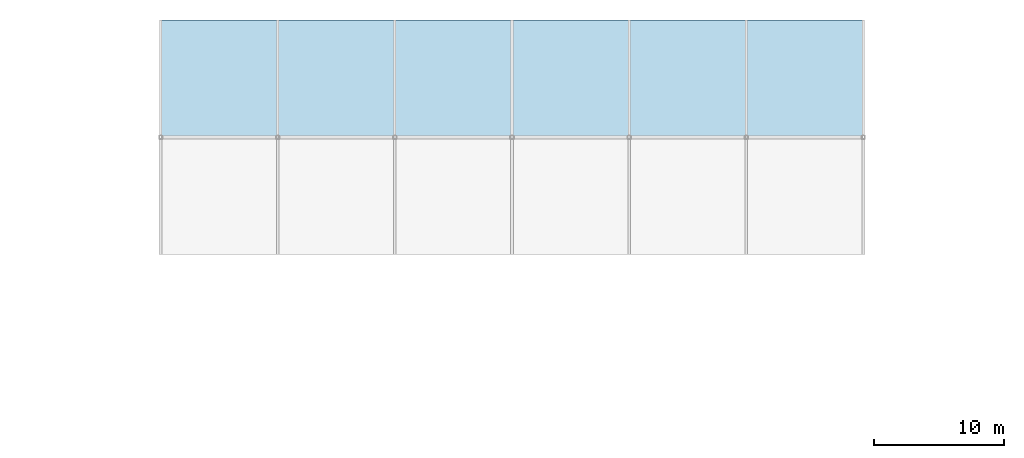
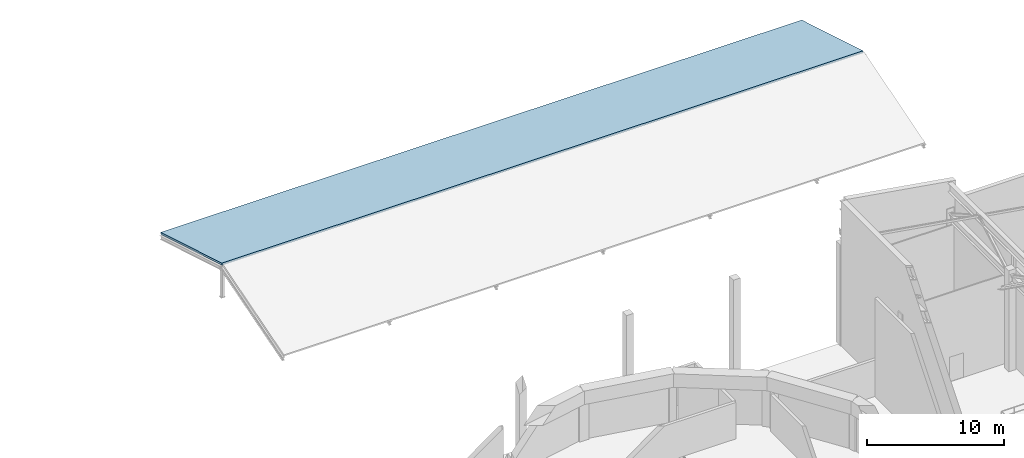
# One storey, part 52 of 68: 1 slab.
"""IFC4 building model written with IfcOpenShell, lengths in metres."""

from ifc_helpers import new_model, si_unit, direction, frame, origin, place, context, subcontext, project, spatial, polyline, outline, extrude, material, layer, layer_set, type_object, element, save


model = new_model("IFC4")

# Units and contexts
model_context = context("Model", 3, precision=1e-05, world=origin(), true_north=direction((0.0, 1.0)))
body_context = subcontext(model_context, "Body", "Model", "MODEL_VIEW")
ifc_project = project(units=[si_unit("LENGTHUNIT", "METRE"), si_unit("AREAUNIT", "SQUARE_METRE"), si_unit("VOLUMEUNIT", "CUBIC_METRE"), si_unit("PLANEANGLEUNIT", "RADIAN"), si_unit("MASSUNIT", "GRAM", prefix="KILO")], contexts=[model_context])

# Site, building, storey
site_placement = place(None, origin())
site = spatial("IfcSite", under=ifc_project, at=site_placement, CompositionType="ELEMENT")
building_placement = place(site_placement, origin())
building = spatial("IfcBuilding", under=site, at=building_placement, Name="Miravela Opera House", CompositionType="ELEMENT")
storey_placement = place(building_placement, frame((0.0, 0.0, 21.760009765625)))
storey = spatial("IfcBuildingStorey", under=building, at=storey_placement, Name="L05", CompositionType="ELEMENT", Elevation=21.760009765625)

# Slab
ifc_material = material(Name="Concrete C35/45", Category="concrete")
ifc_layer = layer(ifc_material, 0.169921875)
ifc_layer_set = layer_set([ifc_layer])
slab_type = type_object("IfcSlabType", Name="STR-ROOF-TILE-170", PredefinedType="ROOF", material=ifc_layer_set)
slab_placement = place(storey_placement, frame((117.0, 112.0, 0.0), z_axis=(0.0, 0.28735508066, 0.957824126664), x_axis=(-1.0, 0.0, 0.0)))
element("IfcSlab", 1, at=slab_placement, inside=storey, type_object=slab_type, Name="Pitched Clay Barrel-Tile Roof Slab ROOF-V3-TOP Slope 2", PredefinedType="ROOF", context=body_context, shape_type="SweptSolid", body=[
    extrude(outline(polyline([(0.0, 0.0), (54.0, 0.0), (54.0, 9.338946587754467), (0.0, 9.338946587754467), (0.0, 0.0)])), origin(), (0.0, 0.0, -1.0), 0.169921875),
])

save(model, "model.ifc")
